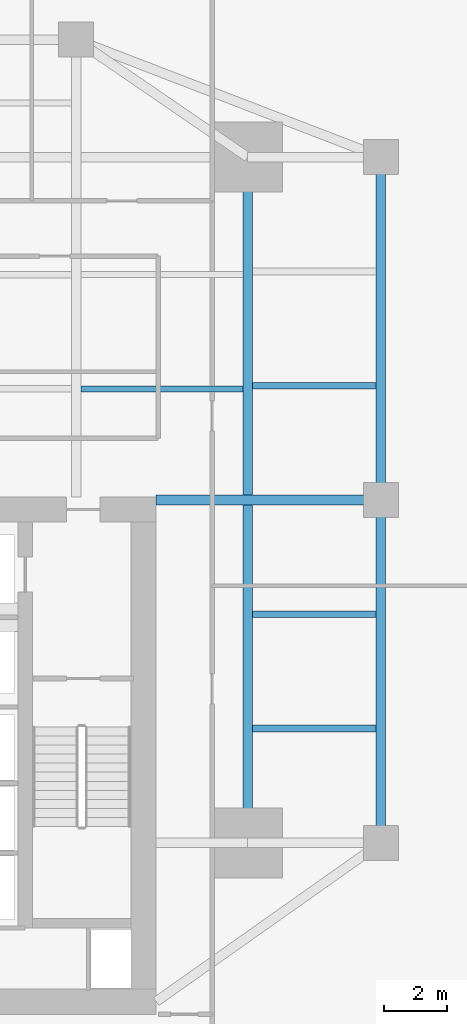
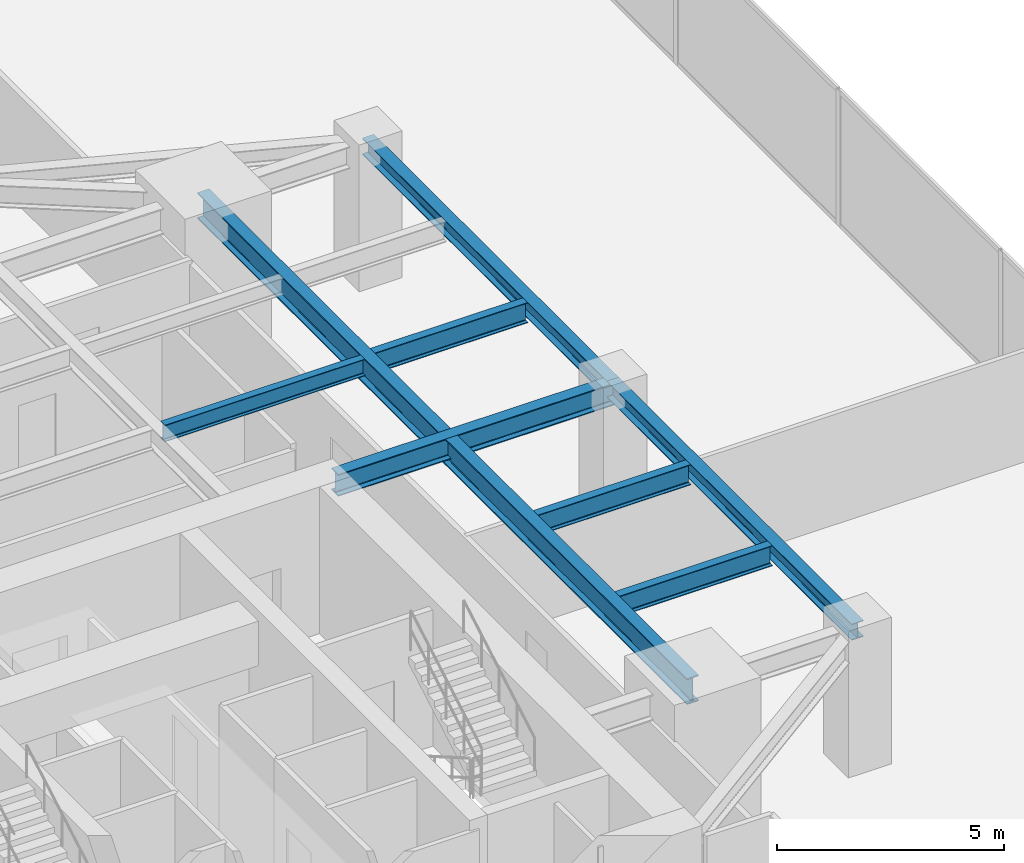
# One storey, part 13 of 28: 8 beams.
"""IFC4 building model written with IfcOpenShell, lengths in metres."""

from ifc_helpers import new_model, si_unit, direction, frame, origin, origin_2d, place, context, subcontext, project, spatial, i_section, extrude, source, transform, mapped, material, material_profile, profile_set, type_object, type_shapes, element, save


model = new_model("IFC4")

# Units and contexts
model_context = context("Model", 3, precision=1e-05, world=origin(), true_north=direction((0.0, 1.0)))
body_context = subcontext(model_context, "Body", "Model", "MODEL_VIEW")
ifc_project = project(units=[si_unit("LENGTHUNIT", "METRE"), si_unit("AREAUNIT", "SQUARE_METRE"), si_unit("VOLUMEUNIT", "CUBIC_METRE"), si_unit("PLANEANGLEUNIT", "RADIAN"), si_unit("MASSUNIT", "GRAM", prefix="KILO")], contexts=[model_context])

# Site, building, storey
site_placement = place(None, origin())
site = spatial("IfcSite", under=ifc_project, at=site_placement, CompositionType="ELEMENT")
building_placement = place(site_placement, origin())
building = spatial("IfcBuilding", under=site, at=building_placement, Name="Krantzveldt Concourse Tower", CompositionType="ELEMENT")
storey_placement = place(building_placement, frame((0.0, 0.0, 32.89990234375)))
storey = spatial("IfcBuildingStorey", under=building, at=storey_placement, Name="L07", CompositionType="ELEMENT", Elevation=32.89990234375)

# Beams
ifc_material_1 = material(Name="Steel S355J2", Category="steel")
ifc_material_profile_1 = material_profile(ifc_material_1, i_section(OverallWidth=0.300048828125, OverallDepth=0.699951171875, WebThickness=0.01708984375, FlangeThickness=0.031982421875, FilletRadius=0.027099609375, at=origin_2d()), Name="Steel S355J2", Category="steel")
ifc_profile_set_1 = profile_set([ifc_material_profile_1], Name="Steel S355J2 - HEB 700")
beam_type_1 = type_object("IfcBeamType", Name="BM-B-HEB700", PredefinedType="BEAM", material=ifc_profile_set_1)
shared_shape_1 = source(origin(), body_context, "Body", "SweptSolid", [
    extrude(i_section(OverallWidth=0.300048828125, OverallDepth=0.699951171875, WebThickness=0.01708984375, FlangeThickness=0.031982421875, FilletRadius=0.027099609375, at=origin_2d()), origin(), (0.0, 0.0, 1.0), 21.60009765625),
])
type_shapes(beam_type_1, [shared_shape_1])
beam_1_placement = place(storey_placement, frame((46.800048828125, 15.89990234375, 3.320068359375), z_axis=(0.0, 1.0, 0.0), x_axis=(-1.0, 0.0, 0.0)))
element("IfcBeam", 1, at=beam_1_placement, inside=storey, type_object=beam_type_1, Name="L07 Tower Girder BG-ME", PredefinedType="BEAM", context=body_context, shape_type="MappedRepresentation", body=[
    mapped(shared_shape_1, transform((0.0, 0.0, 0.0), x_axis=(1.0, 0.0, 0.0), y_axis=(0.0, 1.0, 0.0), z_axis=(0.0, 0.0, 1.0), scale=1.0)),
])
ifc_material_2 = material(Name="Steel S355JR", Category="steel")
ifc_material_profile_2 = material_profile(ifc_material_2, i_section(OverallWidth=0.300048828125, OverallDepth=0.590087890625, WebThickness=0.012939453125, FlangeThickness=0.02490234375, FilletRadius=0.027099609375, at=origin_2d()), Name="Steel S355JR", Category="steel")
ifc_profile_set_2 = profile_set([ifc_material_profile_2], Name="Steel S355JR - HEA 600")
beam_type_2 = type_object("IfcBeamType", Name="BM-B-HEA600", PredefinedType="BEAM", material=ifc_profile_set_2)
shared_shape_2 = source(origin(), body_context, "Body", "SweptSolid", [
    extrude(i_section(OverallWidth=0.300048828125, OverallDepth=0.590087890625, WebThickness=0.012939453125, FlangeThickness=0.02490234375, FilletRadius=0.027099609375, at=origin_2d()), origin(), (0.0, 0.0, 1.0), 7.080078125),
])
type_shapes(beam_type_2, [shared_shape_2])
beam_2_placement = place(storey_placement, frame((43.919921875, 26.699951171875, 3.375), z_axis=(1.0, 0.0, 0.0), x_axis=(0.0, 1.0, 0.0)))
element("IfcBeam", 2, at=beam_2_placement, inside=storey, type_object=beam_type_2, Name="L07 Tower Girder BG-CE2", PredefinedType="BEAM", context=body_context, shape_type="MappedRepresentation", body=[
    mapped(shared_shape_2, transform((0.0, 0.0, 0.0), x_axis=(1.0, 0.0, 0.0), y_axis=(0.0, 1.0, 0.0), z_axis=(0.0, 0.0, 1.0), scale=1.0)),
])
ifc_material_profile_3 = material_profile(ifc_material_2, i_section(OverallWidth=0.300048828125, OverallDepth=0.43994140625, WebThickness=0.011474609375, FlangeThickness=0.02099609375, FilletRadius=0.027099609375, at=origin_2d()), Name="Steel S355JR", Category="steel")
ifc_profile_set_3 = profile_set([ifc_material_profile_3], Name="Steel S355JR - HEA 450")
beam_type_3 = type_object("IfcBeamType", Name="BM-SP-HEA450", PredefinedType="SPANDREL", material=ifc_profile_set_3)
shared_shape_3 = source(origin(), body_context, "Body", "SweptSolid", [
    extrude(i_section(OverallWidth=0.300048828125, OverallDepth=0.43994140625, WebThickness=0.011474609375, FlangeThickness=0.02099609375, FilletRadius=0.027099609375, at=origin_2d()), origin(), (0.0, 0.0, 1.0), 10.800048828125),
])
type_shapes(beam_type_3, [shared_shape_3])
for number, where, z_axis, x_axis, name in (
    (3, (51.0, 37.5, 3.4501953125), (0.0, -1.0, 0.0), (1.0, 0.0, 0.0), "L07 Tower Girder SP-R06"),
    (4, (51.0, 26.699951171875, 3.4501953125), (0.0, -1.0, 0.0), (1.0, 0.0, 0.0), "L07 Tower Girder SP-R07"),
):
    element("IfcBeam", number, at=place(storey_placement, frame(where, z_axis=z_axis, x_axis=x_axis)), inside=storey, type_object=beam_type_3, Name=name, PredefinedType="SPANDREL", context=body_context, shape_type="MappedRepresentation", body=[
        mapped(shared_shape_3, transform((0.0, 0.0, 0.0), x_axis=(1.0, 0.0, 0.0), y_axis=(0.0, 1.0, 0.0), z_axis=(0.0, 0.0, 1.0), scale=1.0)),
    ])
ifc_material_profile_4 = material_profile(ifc_material_2, i_section(OverallWidth=0.18994140625, OverallDepth=0.449951171875, WebThickness=0.009521484375, FlangeThickness=0.0146484375, FilletRadius=0.02099609375, at=origin_2d()), Name="Steel S355JR", Category="steel")
ifc_profile_set_4 = profile_set([ifc_material_profile_4], Name="Steel S355JR - IPE 450")
beam_type_4 = type_object("IfcBeamType", Name="BM-J-IPE450", PredefinedType="JOIST", material=ifc_profile_set_4)
shared_shape_4 = source(origin(), body_context, "Body", "SweptSolid", [
    extrude(i_section(OverallWidth=0.18994140625, OverallDepth=0.449951171875, WebThickness=0.009521484375, FlangeThickness=0.0146484375, FilletRadius=0.02099609375, at=origin_2d()), origin(), (0.0, 0.0, 1.0), 5.099853515625),
])
type_shapes(beam_type_4, [shared_shape_4])
beam_3_placement = place(storey_placement, frame((41.550048828125, 30.199951171875, 3.445068359375), z_axis=(1.0, 0.0, 0.0), x_axis=(0.0, 1.0, 0.0)))
element("IfcBeam", 5, at=beam_3_placement, inside=storey, type_object=beam_type_4, Name="L07 Secondary Floor Joist JN-E1", PredefinedType="JOIST", context=body_context, shape_type="MappedRepresentation", body=[
    mapped(shared_shape_4, transform((0.0, 0.0, 0.0), x_axis=(1.0, 0.0, 0.0), y_axis=(0.0, 1.0, 0.0), z_axis=(0.0, 0.0, 1.0), scale=1.0)),
])
ifc_material_profile_5 = material_profile(ifc_material_2, i_section(OverallWidth=0.2099609375, OverallDepth=0.550048828125, WebThickness=0.010986328125, FlangeThickness=0.01708984375, FilletRadius=0.02392578125, at=origin_2d()), Name="Steel S355JR", Category="steel")
ifc_profile_set_5 = profile_set([ifc_material_profile_5], Name="Steel S355JR - IPE 550")
beam_type_5 = type_object("IfcBeamType", Name="BM-J-IPE550", PredefinedType="JOIST", material=ifc_profile_set_5)
shared_shape_5 = source(origin(), body_context, "Body", "SweptSolid", [
    extrude(i_section(OverallWidth=0.2099609375, OverallDepth=0.550048828125, WebThickness=0.010986328125, FlangeThickness=0.01708984375, FilletRadius=0.02392578125, at=origin_2d()), origin(), (0.0, 0.0, 1.0), 3.900146484375),
])
type_shapes(beam_type_5, [shared_shape_5])
for number, where, z_axis, x_axis, name in (
    (6, (46.949951171875, 19.5, 3.39501953125), (1.0, 0.0, 0.0), (0.0, 1.0, 0.0), "L07 Secondary Floor Joist JE-1"),
    (7, (46.949951171875, 23.10009765625, 3.39501953125), (1.0, 0.0, 0.0), (0.0, 1.0, 0.0), "L07 Secondary Floor Joist JE-2"),
    (8, (46.949951171875, 30.300048828125, 3.39501953125), (1.0, 0.0, 0.0), (0.0, 1.0, 0.0), "L07 Secondary Floor Joist JE-3"),
):
    element("IfcBeam", number, at=place(storey_placement, frame(where, z_axis=z_axis, x_axis=x_axis)), inside=storey, type_object=beam_type_5, Name=name, PredefinedType="JOIST", context=body_context, shape_type="MappedRepresentation", body=[
        mapped(shared_shape_5, transform((0.0, 0.0, 0.0), x_axis=(1.0, 0.0, 0.0), y_axis=(0.0, 1.0, 0.0), z_axis=(0.0, 0.0, 1.0), scale=1.0)),
    ])

save(model, "model.ifc")
